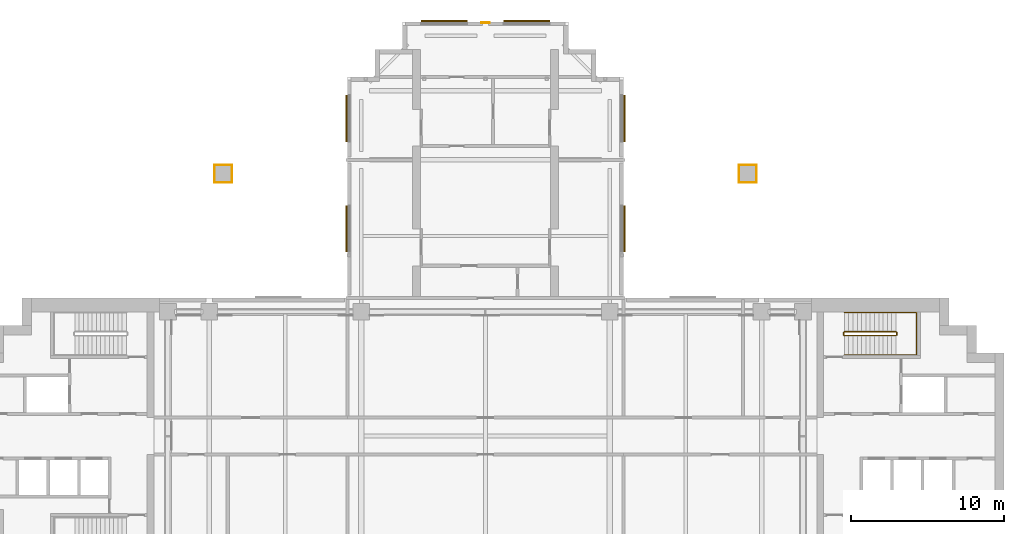
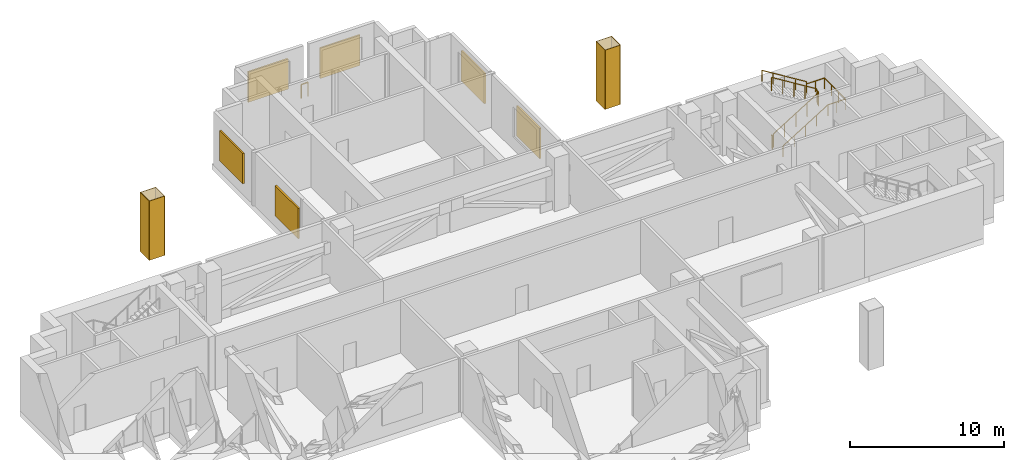
# One storey, part 11 of 11: 8 coverings, 6 shading devices, 3 railings.
"""IFC4 building model written with IfcOpenShell, lengths in metres."""

from ifc_helpers import new_model, si_unit, direction, frame, origin, origin_2d, place, context, subcontext, project, spatial, rectangle, extrude, material, layer, layer_set, type_object, element, save


model = new_model("IFC4")

# Units and contexts
model_context = context("Model", 3, precision=1e-05, world=origin(), true_north=direction((0.0, 1.0)))
body_context = subcontext(model_context, "Body", "Model", "MODEL_VIEW")
ifc_project = project(units=[si_unit("LENGTHUNIT", "METRE"), si_unit("AREAUNIT", "SQUARE_METRE"), si_unit("VOLUMEUNIT", "CUBIC_METRE"), si_unit("PLANEANGLEUNIT", "RADIAN"), si_unit("MASSUNIT", "GRAM", prefix="KILO")], contexts=[model_context])

# Site, building, storey
site_placement = place(None, origin())
site = spatial("IfcSite", under=ifc_project, at=site_placement, CompositionType="ELEMENT")
building_placement = place(site_placement, origin())
building = spatial("IfcBuilding", under=site, at=building_placement, Name="Perihelion Cross Residences", CompositionType="ELEMENT")
storey_placement = place(building_placement, frame((0.0, 0.0, 162.10009765625)))
storey = spatial("IfcBuildingStorey", under=building, at=storey_placement, Name="L39", CompositionType="ELEMENT", Elevation=162.10009765625)

# Coverings
ifc_material_1 = material(Name="Bronze anodised aluminium", Category="aluminium")
ifc_layer_1 = layer(ifc_material_1, 0.0400390625)
ifc_layer_set_1 = layer_set([ifc_layer_1], Name="Bronze column casing 40")
covering_type = type_object("IfcCoveringType", Name="Bronze column casing 40", PredefinedType="CLADDING", material=ifc_layer_set_1)
covering_1_placement = place(storey_placement, frame((-17.669921875, 17.10009765625, -0.4501953125), z_axis=(0.0, 0.0, 1.0), x_axis=(1.0, 0.0, 0.0)))
element("IfcCovering", 1, at=covering_1_placement, inside=storey, type_object=covering_type, Name="Cladding CC1 L39 casing east-west no. 2", PredefinedType="CLADDING", context=body_context, shape_type="SweptSolid", body=[
    extrude(rectangle(XDim=0.0400390625, YDim=1.179931640625, at=origin_2d()), origin(), (0.0, 0.0, 1.0), 4.699951171875),
])
covering_2_placement = place(storey_placement, frame((-17.10009765625, 17.669921875, -0.4501953125), z_axis=(0.0, 0.0, 1.0), x_axis=(1.0, 0.0, 0.0)))
element("IfcCovering", 2, at=covering_2_placement, inside=storey, type_object=covering_type, Name="Cladding CC1 L39 casing north-south no. 2", PredefinedType="CLADDING", context=body_context, shape_type="SweptSolid", body=[
    extrude(rectangle(XDim=1.10009765625, YDim=0.0400390625, at=origin_2d()), origin(), (0.0, 0.0, 1.0), 4.699951171875),
])
covering_3_placement = place(storey_placement, frame((-16.530029296875, 17.10009765625, -0.4501953125), z_axis=(0.0, 0.0, 1.0), x_axis=(1.0, 0.0, 0.0)))
element("IfcCovering", 3, at=covering_3_placement, inside=storey, type_object=covering_type, Name="Cladding CC1 L39 casing inner east-west no. 2", PredefinedType="CLADDING", context=body_context, shape_type="SweptSolid", body=[
    extrude(rectangle(XDim=0.0400390625, YDim=1.179931640625, at=origin_2d()), origin(), (0.0, 0.0, 1.0), 4.699951171875),
])
covering_4_placement = place(storey_placement, frame((-17.10009765625, 16.530029296875, -0.4501953125), z_axis=(0.0, 0.0, 1.0), x_axis=(1.0, 0.0, 0.0)))
element("IfcCovering", 4, at=covering_4_placement, inside=storey, type_object=covering_type, Name="Cladding CC1 L39 casing inner north-south no. 2", PredefinedType="CLADDING", context=body_context, shape_type="SweptSolid", body=[
    extrude(rectangle(XDim=1.10009765625, YDim=0.0400390625, at=origin_2d()), origin(), (0.0, 0.0, 1.0), 4.699951171875),
])
covering_5_placement = place(storey_placement, frame((17.669921875, 17.10009765625, -0.4501953125), z_axis=(0.0, 0.0, 1.0), x_axis=(1.0, 0.0, 0.0)))
element("IfcCovering", 5, at=covering_5_placement, inside=storey, type_object=covering_type, Name="Cladding CC1 L39 casing east-west no. 4", PredefinedType="CLADDING", context=body_context, shape_type="SweptSolid", body=[
    extrude(rectangle(XDim=0.0400390625, YDim=1.179931640625, at=origin_2d()), origin(), (0.0, 0.0, 1.0), 4.699951171875),
])
covering_6_placement = place(storey_placement, frame((17.10009765625, 17.669921875, -0.4501953125), z_axis=(0.0, 0.0, 1.0), x_axis=(1.0, 0.0, 0.0)))
element("IfcCovering", 6, at=covering_6_placement, inside=storey, type_object=covering_type, Name="Cladding CC1 L39 casing north-south no. 4", PredefinedType="CLADDING", context=body_context, shape_type="SweptSolid", body=[
    extrude(rectangle(XDim=1.10009765625, YDim=0.0400390625, at=origin_2d()), origin(), (0.0, 0.0, 1.0), 4.699951171875),
])
covering_7_placement = place(storey_placement, frame((16.530029296875, 17.10009765625, -0.4501953125), z_axis=(0.0, 0.0, 1.0), x_axis=(1.0, 0.0, 0.0)))
element("IfcCovering", 7, at=covering_7_placement, inside=storey, type_object=covering_type, Name="Cladding CC1 L39 casing inner east-west no. 4", PredefinedType="CLADDING", context=body_context, shape_type="SweptSolid", body=[
    extrude(rectangle(XDim=0.0400390625, YDim=1.179931640625, at=origin_2d()), origin(), (0.0, 0.0, 1.0), 4.699951171875),
])
covering_8_placement = place(storey_placement, frame((17.10009765625, 16.530029296875, -0.4501953125), z_axis=(0.0, 0.0, 1.0), x_axis=(1.0, 0.0, 0.0)))
element("IfcCovering", 8, at=covering_8_placement, inside=storey, type_object=covering_type, Name="Cladding CC1 L39 casing inner north-south no. 4", PredefinedType="CLADDING", context=body_context, shape_type="SweptSolid", body=[
    extrude(rectangle(XDim=1.10009765625, YDim=0.0400390625, at=origin_2d()), origin(), (0.0, 0.0, 1.0), 4.699951171875),
])

# Shading devices
ifc_material_2 = material(Name="Bronze anodised aluminium", Category="aluminium")
ifc_layer_2 = layer(ifc_material_2, 0.1201171875)
ifc_layer_set_2 = layer_set([ifc_layer_2], Name="Louvre panel")
shading_device_type = type_object("IfcShadingDeviceType", Name="Louvre panel", PredefinedType="USERDEFINED", material=ifc_layer_set_2)
for number, where, z_axis, x_axis, name in (
    (9, (9.06005859375, 13.5, 1.0), (0.0, 0.0, 1.0), (0.0, 1.0, 0.0), "Louvre LV1 L39 north side east bay 1"),
    (10, (9.06005859375, 20.699951171875, 1.0), (0.0, 0.0, 1.0), (0.0, 1.0, 0.0), "Louvre LV1 L39 north side east bay 2"),
    (11, (2.699951171875, 27.06005859375, 1.0), (0.0, 0.0, 1.0), (-1.0, 0.0, 0.0), "Louvre LV1 L39 north tip north bay 1"),
    (12, (-2.699951171875, 27.06005859375, 1.0), (0.0, 0.0, 1.0), (-1.0, 0.0, 0.0), "Louvre LV1 L39 north tip north bay 2"),
    (13, (-9.06005859375, 20.699951171875, 1.0), (0.0, 0.0, 1.0), (0.0, -1.0, 0.0), "Louvre LV1 L39 north side west bay 1"),
    (14, (-9.06005859375, 13.5, 1.0), (0.0, 0.0, 1.0), (0.0, -1.0, 0.0), "Louvre LV1 L39 north side west bay 2"),
):
    element("IfcShadingDevice", number, at=place(storey_placement, frame(where, z_axis=z_axis, x_axis=x_axis)), inside=storey, type_object=shading_device_type, Name=name, ObjectType="LOUVRE", PredefinedType="USERDEFINED", context=body_context, shape_type="SweptSolid", body=[
        extrude(rectangle(XDim=3.0, YDim=0.1201171875, at=origin_2d()), origin(), (0.0, 0.0, 1.0), 2.39990234375),
    ])

# Railings
ifc_material_3 = material(Name="Bronze anodised aluminium", Category="aluminium")
railing_type_1 = type_object("IfcRailingType", Name="Roof guard 1100", PredefinedType="GUARDRAIL", material=ifc_material_3)
railing_1_placement = place(storey_placement, frame((0.25, 26.93994140625, 0.0)))
element("IfcRailing", 15, at=railing_1_placement, inside=storey, type_object=railing_type_1, Name="Guard GU3 L39 edge 1 1 10", PredefinedType="GUARDRAIL", context=body_context, shape_type="SweptSolid", body=[
    extrude(rectangle(XDim=0.048095703125, YDim=0.048095703125, at=origin_2d()), frame((0.0, 0.0, 1.076171875), z_axis=(-1.0, 0.0, 0.0), x_axis=(0.0, -1.0, 0.0)), (0.0, 0.0, 1.0), 0.5),
    extrude(rectangle(XDim=0.0419921875, YDim=0.0419921875, at=origin_2d()), origin(), (0.0, 0.0, 1.0), 1.052001953125),
    extrude(rectangle(XDim=0.0419921875, YDim=0.0419921875, at=origin_2d()), frame((-0.5, 0.0, 0.0)), (0.0, 0.0, 1.0), 1.052001953125),
])
ifc_material_4 = material(Name="Stainless steel", Category="steel")
railing_type_2 = type_object("IfcRailingType", Name="Stair guard 1100", PredefinedType="GUARDRAIL", material=ifc_material_4)
railing_2_placement = place(storey_placement, frame((23.35009765625, 6.75, 0.0)))
element("IfcRailing", 16, at=railing_2_placement, inside=storey, type_object=railing_type_2, Name="L39 ST-E1 stair guard 1", PredefinedType="GUARDRAIL", context=body_context, shape_type="SweptSolid", body=[
    extrude(rectangle(XDim=0.048095703125, YDim=0.048095703125, at=origin_2d()), frame((0.0, 0.0, 1.076171875), z_axis=(0.0, -1.0, 0.0), x_axis=(1.0, 0.0, 0.0)), (0.0, 0.0, 1.0), 0.14990234375),
    extrude(rectangle(XDim=0.048095703125, YDim=0.048095703125, at=origin_2d()), frame((0.0, -0.14990234375, 1.076171875), z_axis=(0.266417085129, -0.267723051232, 0.925929967433), x_axis=(0.708833529934, 0.705375805398, 0.0)), (0.0, 0.0, 1.0), 0.18701171875),
    extrude(rectangle(XDim=0.048095703125, YDim=0.048095703125, at=origin_2d()), frame((0.0498046875, -0.199951171875, 1.2490234375), z_axis=(0.850623216509, 0.0, 0.525775754039), x_axis=(0.0, 1.0, 0.0)), (0.0, 0.0, 1.0), 3.9501953125),
    extrude(rectangle(XDim=0.048095703125, YDim=0.048095703125, at=origin_2d()), frame((3.409912109375, -0.199951171875, 3.326171875), z_axis=(0.707106781187, 0.707106781187, 0.0), x_axis=(-0.707106781187, 0.707106781187, 0.0)), (0.0, 0.0, 1.0), 0.07080078125),
    extrude(rectangle(XDim=0.048095703125, YDim=0.048095703125, at=origin_2d()), frame((3.4599609375, -0.14990234375, 3.326171875), z_axis=(0.0, 1.0, 0.0), x_axis=(-1.0, 0.0, 0.0)), (0.0, 0.0, 1.0), 0.14990234375),
    extrude(rectangle(XDim=0.048095703125, YDim=0.048095703125, at=origin_2d()), frame((3.4599609375, 0.0, 3.326171875), z_axis=(-0.267629722418, 0.267629722418, 0.925607186314), x_axis=(-0.707106781187, -0.707106781187, 0.0)), (0.0, 0.0, 1.0), 0.18701171875),
    extrude(rectangle(XDim=0.048095703125, YDim=0.048095703125, at=origin_2d()), frame((3.409912109375, 0.050048828125, 3.4990234375), z_axis=(-0.850623216509, 0.0, 0.525775754039), x_axis=(0.0, -1.0, 0.0)), (0.0, 0.0, 1.0), 3.9501953125),
    extrude(rectangle(XDim=0.0419921875, YDim=0.0419921875, at=origin_2d()), origin(), (0.0, 0.0, 1.0), 1.052001953125),
    extrude(rectangle(XDim=0.0419921875, YDim=0.0419921875, at=origin_2d()), frame((0.0, -0.14990234375, 0.0)), (0.0, 0.0, 1.0), 1.052001953125),
    extrude(rectangle(XDim=0.0419921875, YDim=0.0419921875, at=origin_2d()), frame((0.0498046875, -0.199951171875, 0.173095703125)), (0.0, 0.0, 1.0), 1.052001953125),
    extrude(rectangle(XDim=0.0419921875, YDim=0.0419921875, at=origin_2d()), frame((0.889892578125, -0.199951171875, 0.6923828125)), (0.0, 0.0, 1.0), 1.052001953125),
    extrude(rectangle(XDim=0.0419921875, YDim=0.0419921875, at=origin_2d()), frame((1.72998046875, -0.199951171875, 1.21142578125)), (0.0, 0.0, 1.0), 1.052001953125),
    extrude(rectangle(XDim=0.0419921875, YDim=0.0419921875, at=origin_2d()), frame((2.56982421875, -0.199951171875, 1.730712890625)), (0.0, 0.0, 1.0), 1.052001953125),
    extrude(rectangle(XDim=0.0419921875, YDim=0.0419921875, at=origin_2d()), frame((3.409912109375, -0.199951171875, 2.25)), (0.0, 0.0, 1.0), 1.052001953125),
    extrude(rectangle(XDim=0.0419921875, YDim=0.0419921875, at=origin_2d()), frame((3.4599609375, -0.14990234375, 2.25)), (0.0, 0.0, 1.0), 1.052001953125),
    extrude(rectangle(XDim=0.0419921875, YDim=0.0419921875, at=origin_2d()), frame((3.4599609375, 0.0, 2.25)), (0.0, 0.0, 1.0), 1.052001953125),
    extrude(rectangle(XDim=0.0419921875, YDim=0.0419921875, at=origin_2d()), frame((3.409912109375, 0.050048828125, 2.423095703125)), (0.0, 0.0, 1.0), 1.052001953125),
    extrude(rectangle(XDim=0.0419921875, YDim=0.0419921875, at=origin_2d()), frame((2.56982421875, 0.050048828125, 2.9423828125)), (0.0, 0.0, 1.0), 1.052001953125),
    extrude(rectangle(XDim=0.0419921875, YDim=0.0419921875, at=origin_2d()), frame((1.72998046875, 0.050048828125, 3.46142578125)), (0.0, 0.0, 1.0), 1.052001953125),
    extrude(rectangle(XDim=0.0419921875, YDim=0.0419921875, at=origin_2d()), frame((0.889892578125, 0.050048828125, 3.980712890625)), (0.0, 0.0, 1.0), 1.052001953125),
    extrude(rectangle(XDim=0.0419921875, YDim=0.0419921875, at=origin_2d()), frame((0.0498046875, 0.050048828125, 4.5)), (0.0, 0.0, 1.0), 1.052001953125),
])
ifc_material_5 = material(Name="Stainless steel", Category="steel")
railing_type_3 = type_object("IfcRailingType", Name="Stair handrail 900", PredefinedType="HANDRAIL", material=ifc_material_5)
railing_3_placement = place(storey_placement, frame((23.39990234375, 5.300048828125, 0.173095703125)))
element("IfcRailing", 17, at=railing_3_placement, inside=storey, type_object=railing_type_3, Name="L39 ST-E1 stair handrail 1", PredefinedType="HANDRAIL", context=body_context, shape_type="SweptSolid", body=[
    extrude(rectangle(XDim=0.048095703125, YDim=0.048095703125, at=origin_2d()), frame((0.0, 0.0, 0.8759765625), z_axis=(0.850623216509, 0.0, 0.525775754039), x_axis=(0.0, 1.0, 0.0)), (0.0, 0.0, 1.0), 3.9501953125),
    extrude(rectangle(XDim=0.048095703125, YDim=0.048095703125, at=origin_2d()), frame((3.360107421875, 0.0, 2.95263671875), z_axis=(1.0, 0.0, 0.0), x_axis=(0.0, 1.0, 0.0)), (0.0, 0.0, 1.0), 1.340087890625),
    extrude(rectangle(XDim=0.048095703125, YDim=0.048095703125, at=origin_2d()), frame((4.7001953125, 0.0, 2.95263671875), z_axis=(0.0, 1.0, 0.0), x_axis=(-1.0, 0.0, 0.0)), (0.0, 0.0, 1.0), 2.75),
    extrude(rectangle(XDim=0.048095703125, YDim=0.048095703125, at=origin_2d()), frame((4.7001953125, 2.75, 2.95263671875), z_axis=(-1.0, 0.0, 0.0), x_axis=(0.0, -1.0, 0.0)), (0.0, 0.0, 1.0), 1.340087890625),
    extrude(rectangle(XDim=0.048095703125, YDim=0.048095703125, at=origin_2d()), frame((3.360107421875, 2.75, 2.95263671875), z_axis=(0.0, 0.0, 1.0), x_axis=(1.0, 0.0, 0.0)), (0.0, 0.0, 1.0), 0.173095703125),
    extrude(rectangle(XDim=0.048095703125, YDim=0.048095703125, at=origin_2d()), frame((3.360107421875, 2.75, 3.1259765625), z_axis=(-0.850623216509, 0.0, 0.525775754039), x_axis=(0.0, -1.0, 0.0)), (0.0, 0.0, 1.0), 3.9501953125),
    extrude(rectangle(XDim=0.0419921875, YDim=0.0419921875, at=origin_2d()), origin(), (0.0, 0.0, 1.0), 0.851806640625),
    extrude(rectangle(XDim=0.0419921875, YDim=0.0419921875, at=origin_2d()), frame((0.840087890625, 0.0, 0.519287109375)), (0.0, 0.0, 1.0), 0.851806640625),
    extrude(rectangle(XDim=0.0419921875, YDim=0.0419921875, at=origin_2d()), frame((1.68017578125, 0.0, 1.03857421875)), (0.0, 0.0, 1.0), 0.851806640625),
    extrude(rectangle(XDim=0.0419921875, YDim=0.0419921875, at=origin_2d()), frame((2.52001953125, 0.0, 1.5576171875)), (0.0, 0.0, 1.0), 0.851806640625),
    extrude(rectangle(XDim=0.0419921875, YDim=0.0419921875, at=origin_2d()), frame((3.360107421875, 0.0, 2.076904296875)), (0.0, 0.0, 1.0), 0.851806640625),
    extrude(rectangle(XDim=0.0419921875, YDim=0.0419921875, at=origin_2d()), frame((4.0302734375, 0.0, 2.076904296875)), (0.0, 0.0, 1.0), 0.851806640625),
    extrude(rectangle(XDim=0.0419921875, YDim=0.0419921875, at=origin_2d()), frame((4.7001953125, 0.0, 2.076904296875)), (0.0, 0.0, 1.0), 0.851806640625),
    extrude(rectangle(XDim=0.0419921875, YDim=0.0419921875, at=origin_2d()), frame((4.7001953125, 0.916748046875, 2.076904296875)), (0.0, 0.0, 1.0), 0.851806640625),
    extrude(rectangle(XDim=0.0419921875, YDim=0.0419921875, at=origin_2d()), frame((4.7001953125, 1.833251953125, 2.076904296875)), (0.0, 0.0, 1.0), 0.851806640625),
    extrude(rectangle(XDim=0.0419921875, YDim=0.0419921875, at=origin_2d()), frame((4.7001953125, 2.75, 2.076904296875)), (0.0, 0.0, 1.0), 0.851806640625),
    extrude(rectangle(XDim=0.0419921875, YDim=0.0419921875, at=origin_2d()), frame((4.0302734375, 2.75, 2.076904296875)), (0.0, 0.0, 1.0), 0.851806640625),
    extrude(rectangle(XDim=0.0419921875, YDim=0.0419921875, at=origin_2d()), frame((3.360107421875, 2.75, 2.076904296875)), (0.0, 0.0, 1.0), 0.851806640625),
    extrude(rectangle(XDim=0.0419921875, YDim=0.0419921875, at=origin_2d()), frame((3.360107421875, 2.75, 2.25)), (0.0, 0.0, 1.0), 0.851806640625),
    extrude(rectangle(XDim=0.0419921875, YDim=0.0419921875, at=origin_2d()), frame((2.52001953125, 2.75, 2.769287109375)), (0.0, 0.0, 1.0), 0.851806640625),
    extrude(rectangle(XDim=0.0419921875, YDim=0.0419921875, at=origin_2d()), frame((1.68017578125, 2.75, 3.28857421875)), (0.0, 0.0, 1.0), 0.851806640625),
    extrude(rectangle(XDim=0.0419921875, YDim=0.0419921875, at=origin_2d()), frame((0.840087890625, 2.75, 3.8076171875)), (0.0, 0.0, 1.0), 0.851806640625),
    extrude(rectangle(XDim=0.0419921875, YDim=0.0419921875, at=origin_2d()), frame((0.0, 2.75, 4.326904296875)), (0.0, 0.0, 1.0), 0.851806640625),
])

save(model, "model.ifc")
